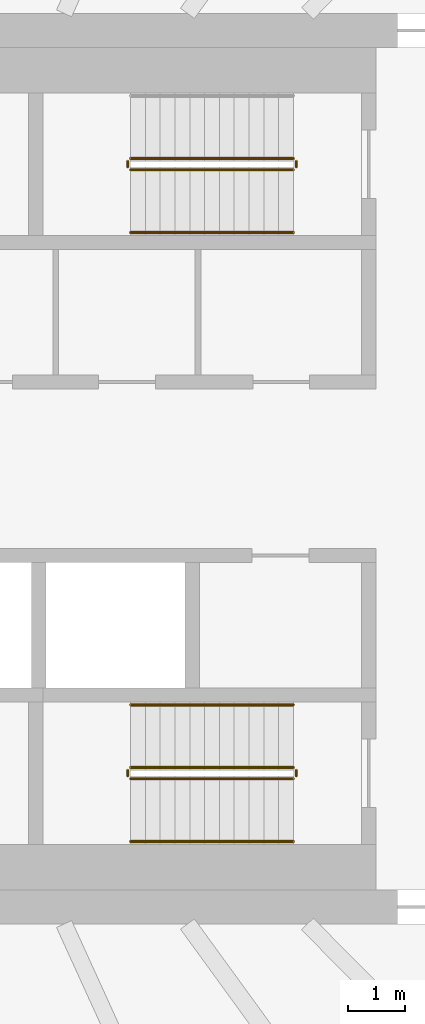
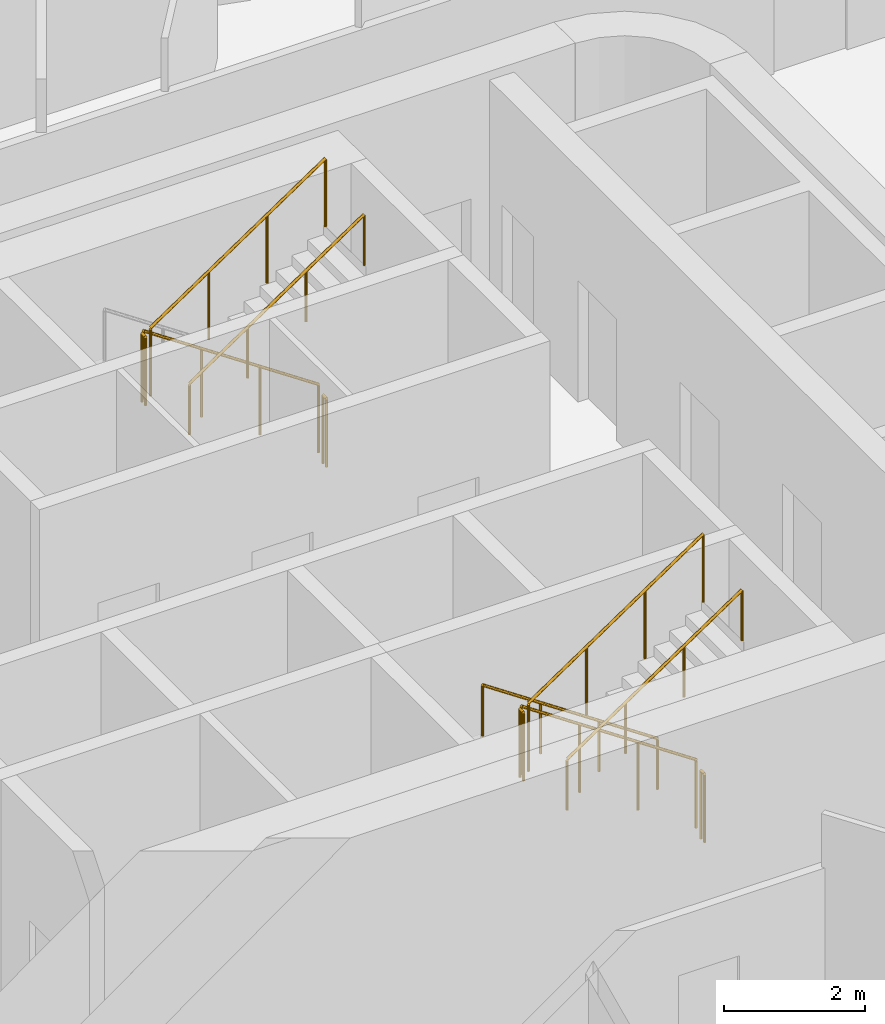
# One storey, part 22 of 24: 11 railings.
"""IFC4 building model written with IfcOpenShell, lengths in metres."""

from ifc_helpers import new_model, si_unit, direction, frame, origin, origin_2d, place, context, subcontext, project, spatial, circle, extrude, material, type_object, element, save


model = new_model("IFC4")

# Units and contexts
model_context = context("Model", 3, precision=1e-05, world=origin(), true_north=direction((0.0, 1.0)))
body_context = subcontext(model_context, "Body", "Model", "MODEL_VIEW")
ifc_project = project(units=[si_unit("LENGTHUNIT", "METRE"), si_unit("AREAUNIT", "SQUARE_METRE"), si_unit("VOLUMEUNIT", "CUBIC_METRE"), si_unit("PLANEANGLEUNIT", "RADIAN"), si_unit("MASSUNIT", "GRAM", prefix="KILO")], contexts=[model_context])

# Site, building, storey
site_placement = place(None, origin())
site = spatial("IfcSite", under=ifc_project, at=site_placement, CompositionType="ELEMENT")
building_placement = place(site_placement, origin())
building = spatial("IfcBuilding", under=site, at=building_placement, Name="Sahrelin Media Tower", CompositionType="ELEMENT")
storey_placement = place(building_placement, frame((0.0, 0.0, 118.800048828125)))
storey = spatial("IfcBuildingStorey", under=building, at=storey_placement, Name="L23", CompositionType="ELEMENT", Elevation=118.800048828125)

# Railings
ifc_material = material(Name="Steel S355", Category="steel")
railing_type_1 = type_object("IfcRailingType", Name="Stair guard 1200", PredefinedType="GUARDRAIL", material=ifc_material)
railing_1_placement = place(storey_placement, frame((7.675048828125, 5.449951171875, 0.175048828125)))
element("IfcRailing", 1, at=railing_1_placement, inside=storey, type_object=railing_type_1, Name="L23 ST3 stair guard 1", PredefinedType="GUARDRAIL", context=body_context, shape_type="SweptSolid", body=[
    extrude(circle(Radius=0.02392578125, at=origin_2d()), frame((0.0, 0.0, 1.17578125), z_axis=(-0.829623704247, 0.0, 0.558322943601), x_axis=(0.0, -1.0, 0.0)), (0.0, 0.0, 1.0), 3.447509765625),
    extrude(circle(Radius=0.02099609375, at=origin_2d()), origin(), (0.0, 0.0, 1.0), 1.15185546875),
    extrude(circle(Radius=0.02099609375, at=origin_2d()), frame((-0.953369140625, 0.0, 0.6416015625)), (0.0, 0.0, 1.0), 1.15185546875),
    extrude(circle(Radius=0.02099609375, at=origin_2d()), frame((-1.90673828125, 0.0, 1.283203125)), (0.0, 0.0, 1.0), 1.15185546875),
    extrude(circle(Radius=0.02099609375, at=origin_2d()), frame((-2.860107421875, 0.0, 1.9248046875)), (0.0, 0.0, 1.0), 1.15185546875),
])
railing_2_placement = place(storey_placement, frame((4.764892578125, 5.39990234375, 2.099853515625)))
element("IfcRailing", 2, at=railing_2_placement, inside=storey, type_object=railing_type_1, Name="L23 ST3 stair guard 2", PredefinedType="GUARDRAIL", context=body_context, shape_type="SweptSolid", body=[
    extrude(circle(Radius=0.02392578125, at=origin_2d()), frame((0.0, 0.0, 1.17578125), z_axis=(0.0, -1.0, 0.0), x_axis=(1.0, 0.0, 0.0)), (0.0, 0.0, 1.0), 0.099853515625),
    extrude(circle(Radius=0.02099609375, at=origin_2d()), origin(), (0.0, 0.0, 1.0), 1.15185546875),
    extrude(circle(Radius=0.02099609375, at=origin_2d()), frame((0.0, -0.099853515625, 0.0)), (0.0, 0.0, 1.0), 1.15185546875),
])
railing_3_placement = place(storey_placement, frame((4.81494140625, 5.25, 2.27490234375)))
element("IfcRailing", 3, at=railing_3_placement, inside=storey, type_object=railing_type_1, Name="L23 ST3 stair guard 3", PredefinedType="GUARDRAIL", context=body_context, shape_type="SweptSolid", body=[
    extrude(circle(Radius=0.02392578125, at=origin_2d()), frame((0.0, 0.0, 1.17578125), z_axis=(0.829590901723, 0.0, 0.558371682465), x_axis=(0.0, 1.0, 0.0)), (0.0, 0.0, 1.0), 3.447509765625),
    extrude(circle(Radius=0.02099609375, at=origin_2d()), origin(), (0.0, 0.0, 1.0), 1.15185546875),
    extrude(circle(Radius=0.02099609375, at=origin_2d()), frame((0.953369140625, 0.0, 0.6416015625)), (0.0, 0.0, 1.0), 1.15185546875),
    extrude(circle(Radius=0.02099609375, at=origin_2d()), frame((1.90673828125, 0.0, 1.283447265625)), (0.0, 0.0, 1.0), 1.15185546875),
    extrude(circle(Radius=0.02099609375, at=origin_2d()), frame((2.860107421875, 0.0, 1.925048828125)), (0.0, 0.0, 1.0), 1.15185546875),
])
railing_4_placement = place(storey_placement, frame((7.72509765625, 5.39990234375, 0.0)))
element("IfcRailing", 4, at=railing_4_placement, inside=storey, type_object=railing_type_1, Name="L23 ST3 stair guard 4", PredefinedType="GUARDRAIL", context=body_context, shape_type="SweptSolid", body=[
    extrude(circle(Radius=0.02392578125, at=origin_2d()), frame((0.0, 0.0, 1.17578125), z_axis=(0.0, -1.0, 0.0), x_axis=(1.0, 0.0, 0.0)), (0.0, 0.0, 1.0), 0.099853515625),
    extrude(circle(Radius=0.02099609375, at=origin_2d()), origin(), (0.0, 0.0, 1.0), 1.15185546875),
    extrude(circle(Radius=0.02099609375, at=origin_2d()), frame((0.0, -0.099853515625, 0.0)), (0.0, 0.0, 1.0), 1.15185546875),
])
railing_5_placement = place(storey_placement, frame((7.675048828125, -5.25, 0.175048828125)))
element("IfcRailing", 5, at=railing_5_placement, inside=storey, type_object=railing_type_1, Name="L23 ST2 stair guard 1", PredefinedType="GUARDRAIL", context=body_context, shape_type="SweptSolid", body=[
    extrude(circle(Radius=0.02392578125, at=origin_2d()), frame((0.0, 0.0, 1.17578125), z_axis=(-0.829623704247, 0.0, 0.558322943601), x_axis=(0.0, -1.0, 0.0)), (0.0, 0.0, 1.0), 3.447509765625),
    extrude(circle(Radius=0.02099609375, at=origin_2d()), origin(), (0.0, 0.0, 1.0), 1.15185546875),
    extrude(circle(Radius=0.02099609375, at=origin_2d()), frame((-0.953369140625, 0.0, 0.6416015625)), (0.0, 0.0, 1.0), 1.15185546875),
    extrude(circle(Radius=0.02099609375, at=origin_2d()), frame((-1.90673828125, 0.0, 1.283203125)), (0.0, 0.0, 1.0), 1.15185546875),
    extrude(circle(Radius=0.02099609375, at=origin_2d()), frame((-2.860107421875, 0.0, 1.9248046875)), (0.0, 0.0, 1.0), 1.15185546875),
])
railing_6_placement = place(storey_placement, frame((4.764892578125, -5.300048828125, 2.099853515625)))
element("IfcRailing", 6, at=railing_6_placement, inside=storey, type_object=railing_type_1, Name="L23 ST2 stair guard 2", PredefinedType="GUARDRAIL", context=body_context, shape_type="SweptSolid", body=[
    extrude(circle(Radius=0.02392578125, at=origin_2d()), frame((0.0, 0.0, 1.17578125), z_axis=(0.0, -1.0, 0.0), x_axis=(1.0, 0.0, 0.0)), (0.0, 0.0, 1.0), 0.099853515625),
    extrude(circle(Radius=0.02099609375, at=origin_2d()), origin(), (0.0, 0.0, 1.0), 1.15185546875),
    extrude(circle(Radius=0.02099609375, at=origin_2d()), frame((0.0, -0.099853515625, 0.0)), (0.0, 0.0, 1.0), 1.15185546875),
])
railing_7_placement = place(storey_placement, frame((4.81494140625, -5.449951171875, 2.27490234375)))
element("IfcRailing", 7, at=railing_7_placement, inside=storey, type_object=railing_type_1, Name="L23 ST2 stair guard 3", PredefinedType="GUARDRAIL", context=body_context, shape_type="SweptSolid", body=[
    extrude(circle(Radius=0.02392578125, at=origin_2d()), frame((0.0, 0.0, 1.17578125), z_axis=(0.829590901723, 0.0, 0.558371682465), x_axis=(0.0, 1.0, 0.0)), (0.0, 0.0, 1.0), 3.447509765625),
    extrude(circle(Radius=0.02099609375, at=origin_2d()), origin(), (0.0, 0.0, 1.0), 1.15185546875),
    extrude(circle(Radius=0.02099609375, at=origin_2d()), frame((0.953369140625, 0.0, 0.6416015625)), (0.0, 0.0, 1.0), 1.15185546875),
    extrude(circle(Radius=0.02099609375, at=origin_2d()), frame((1.90673828125, 0.0, 1.283447265625)), (0.0, 0.0, 1.0), 1.15185546875),
    extrude(circle(Radius=0.02099609375, at=origin_2d()), frame((2.860107421875, 0.0, 1.925048828125)), (0.0, 0.0, 1.0), 1.15185546875),
])
railing_8_placement = place(storey_placement, frame((7.72509765625, -5.300048828125, 0.0)))
element("IfcRailing", 8, at=railing_8_placement, inside=storey, type_object=railing_type_1, Name="L23 ST2 stair guard 4", PredefinedType="GUARDRAIL", context=body_context, shape_type="SweptSolid", body=[
    extrude(circle(Radius=0.02392578125, at=origin_2d()), frame((0.0, 0.0, 1.17578125), z_axis=(0.0, -1.0, 0.0), x_axis=(1.0, 0.0, 0.0)), (0.0, 0.0, 1.0), 0.099853515625),
    extrude(circle(Radius=0.02099609375, at=origin_2d()), origin(), (0.0, 0.0, 1.0), 1.15185546875),
    extrude(circle(Radius=0.02099609375, at=origin_2d()), frame((0.0, -0.099853515625, 0.0)), (0.0, 0.0, 1.0), 1.15185546875),
])
railing_type_2 = type_object("IfcRailingType", Name="Stair handrail 900", PredefinedType="HANDRAIL", material=ifc_material)
railing_9_placement = place(storey_placement, frame((4.81494140625, 4.14990234375, 2.27490234375)))
element("IfcRailing", 9, at=railing_9_placement, inside=storey, type_object=railing_type_2, Name="L23 ST3 stair handrail 2", PredefinedType="HANDRAIL", context=body_context, shape_type="SweptSolid", body=[
    extrude(circle(Radius=0.02392578125, at=origin_2d()), frame((0.0, 0.0, 0.8759765625), z_axis=(0.829590901723, 0.0, 0.558371682465), x_axis=(0.0, 1.0, 0.0)), (0.0, 0.0, 1.0), 3.447509765625),
    extrude(circle(Radius=0.02099609375, at=origin_2d()), origin(), (0.0, 0.0, 1.0), 0.851806640625),
    extrude(circle(Radius=0.02099609375, at=origin_2d()), frame((0.953369140625, 0.0, 0.6416015625)), (0.0, 0.0, 1.0), 0.851806640625),
    extrude(circle(Radius=0.02099609375, at=origin_2d()), frame((1.90673828125, 0.0, 1.283447265625)), (0.0, 0.0, 1.0), 0.851806640625),
    extrude(circle(Radius=0.02099609375, at=origin_2d()), frame((2.860107421875, 0.0, 1.925048828125)), (0.0, 0.0, 1.0), 0.851806640625),
])
railing_10_placement = place(storey_placement, frame((7.675048828125, -4.14990234375, 0.175048828125)))
element("IfcRailing", 10, at=railing_10_placement, inside=storey, type_object=railing_type_2, Name="L23 ST2 stair handrail 1", PredefinedType="HANDRAIL", context=body_context, shape_type="SweptSolid", body=[
    extrude(circle(Radius=0.02392578125, at=origin_2d()), frame((0.0, 0.0, 0.8759765625), z_axis=(-0.829623704247, 0.0, 0.558322943601), x_axis=(0.0, -1.0, 0.0)), (0.0, 0.0, 1.0), 3.447509765625),
    extrude(circle(Radius=0.02099609375, at=origin_2d()), origin(), (0.0, 0.0, 1.0), 0.851806640625),
    extrude(circle(Radius=0.02099609375, at=origin_2d()), frame((-0.953369140625, 0.0, 0.6416015625)), (0.0, 0.0, 1.0), 0.851806640625),
    extrude(circle(Radius=0.02099609375, at=origin_2d()), frame((-1.90673828125, 0.0, 1.283203125)), (0.0, 0.0, 1.0), 0.851806640625),
    extrude(circle(Radius=0.02099609375, at=origin_2d()), frame((-2.860107421875, 0.0, 1.9248046875)), (0.0, 0.0, 1.0), 0.851806640625),
])
railing_11_placement = place(storey_placement, frame((4.81494140625, -6.550048828125, 2.27490234375)))
element("IfcRailing", 11, at=railing_11_placement, inside=storey, type_object=railing_type_2, Name="L23 ST2 stair handrail 2", PredefinedType="HANDRAIL", context=body_context, shape_type="SweptSolid", body=[
    extrude(circle(Radius=0.02392578125, at=origin_2d()), frame((0.0, 0.0, 0.8759765625), z_axis=(0.829590901723, 0.0, 0.558371682465), x_axis=(0.0, 1.0, 0.0)), (0.0, 0.0, 1.0), 3.447509765625),
    extrude(circle(Radius=0.02099609375, at=origin_2d()), origin(), (0.0, 0.0, 1.0), 0.851806640625),
    extrude(circle(Radius=0.02099609375, at=origin_2d()), frame((0.953369140625, 0.0, 0.6416015625)), (0.0, 0.0, 1.0), 0.851806640625),
    extrude(circle(Radius=0.02099609375, at=origin_2d()), frame((1.90673828125, 0.0, 1.283447265625)), (0.0, 0.0, 1.0), 0.851806640625),
    extrude(circle(Radius=0.02099609375, at=origin_2d()), frame((2.860107421875, 0.0, 1.925048828125)), (0.0, 0.0, 1.0), 0.851806640625),
])

save(model, "model.ifc")
